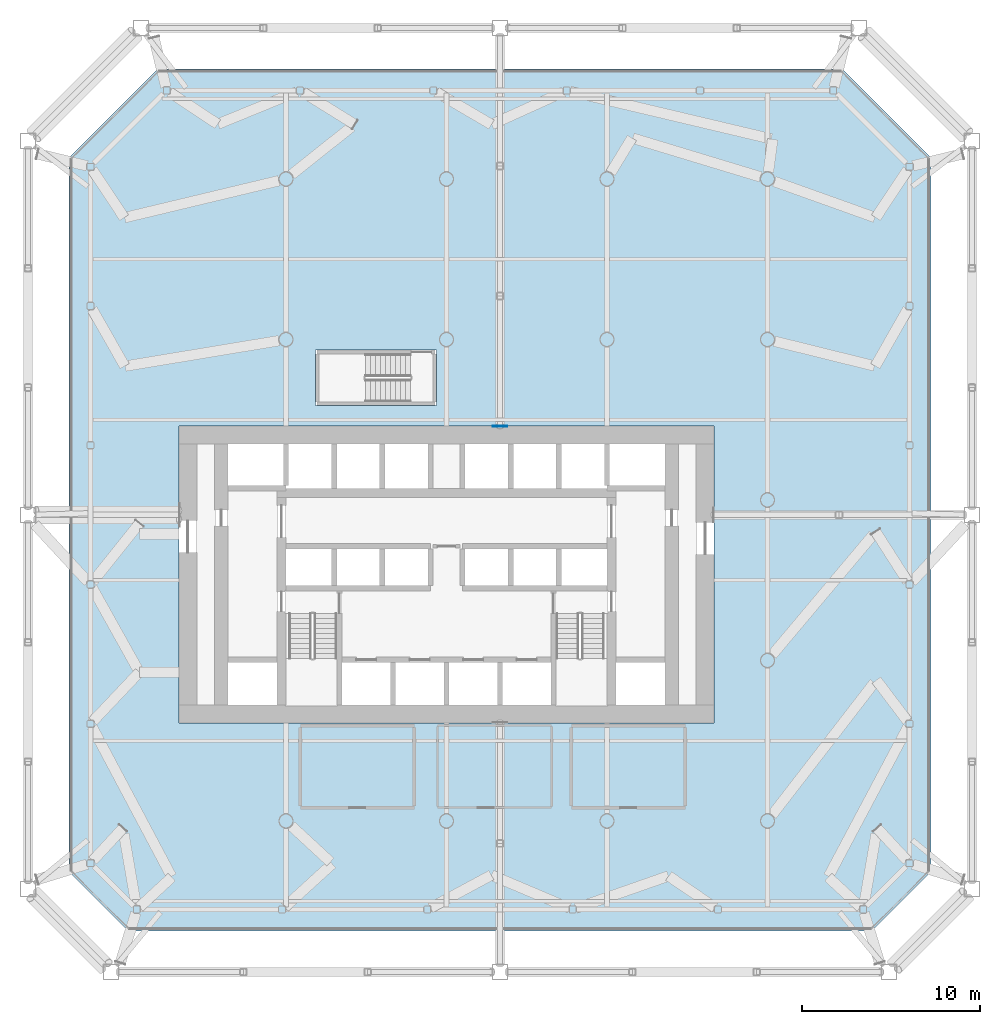
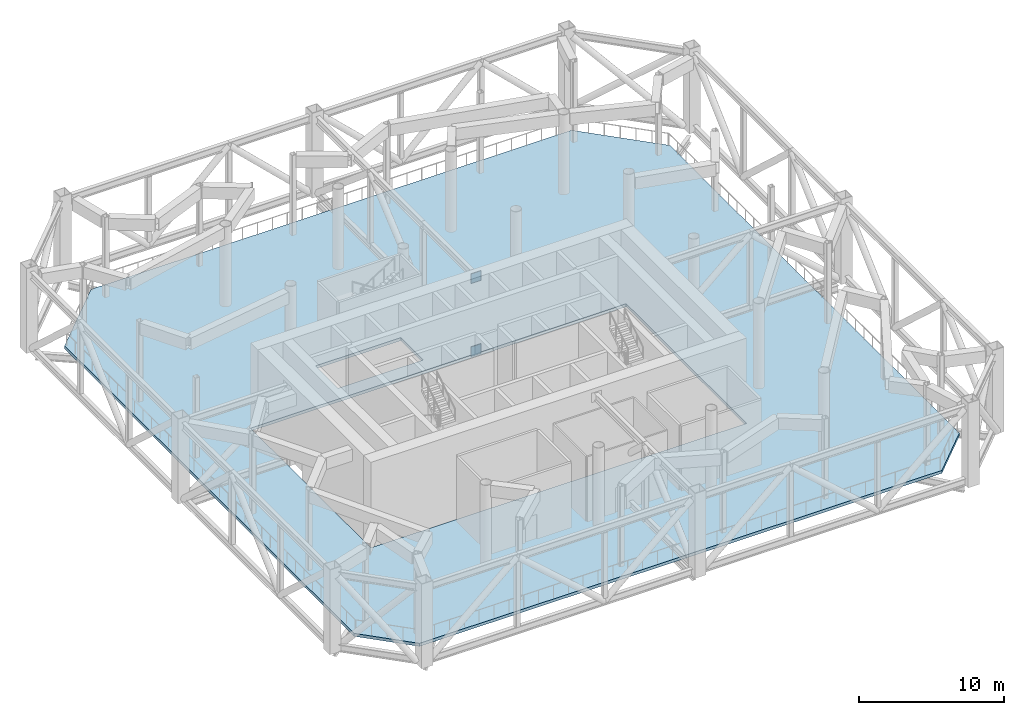
# One storey, part 8 of 20: 2 plates, 1 slab.
"""IFC4 building model written with IfcOpenShell, lengths in metres."""

from ifc_helpers import new_model, si_unit, direction, frame, origin, origin_2d, place, context, subcontext, project, spatial, polyline, rectangle, outline, extrude, material, layer, layer_set, material_profile, profile_set, type_object, element, save


model = new_model("IFC4")

# Units and contexts
model_context = context("Model", 3, precision=1e-05, world=origin(), true_north=direction((0.0, 1.0)))
body_context = subcontext(model_context, "Body", "Model", "MODEL_VIEW")
ifc_project = project(units=[si_unit("LENGTHUNIT", "METRE"), si_unit("AREAUNIT", "SQUARE_METRE"), si_unit("VOLUMEUNIT", "CUBIC_METRE"), si_unit("PLANEANGLEUNIT", "RADIAN"), si_unit("MASSUNIT", "GRAM", prefix="KILO")], contexts=[model_context])

# Site, building, storey
site_placement = place(None, origin())
site = spatial("IfcSite", under=ifc_project, at=site_placement, CompositionType="ELEMENT")
building_placement = place(site_placement, origin())
building = spatial("IfcBuilding", under=site, at=building_placement, Name="Tskaro Facet Tower", CompositionType="ELEMENT")
storey_placement = place(building_placement, frame((0.0, 0.0, 114.300048828125)))
storey = spatial("IfcBuildingStorey", under=building, at=storey_placement, Name="L27", CompositionType="ELEMENT", Elevation=114.300048828125)

# Plates
ifc_material_1 = material(Name="Steel S355J2", Category="steel")
ifc_material_profile = material_profile(ifc_material_1, rectangle(XDim=0.800048828125, YDim=0.800048828125, at=origin_2d()), Name="PL 800x800x30 cast-in plate")
ifc_profile_set = profile_set([ifc_material_profile], Name="Steel S355J2")
plate_type = type_object("IfcPlateType", Name="PL 800x800x30 cast-in plate", PredefinedType="SHEET", material=ifc_profile_set)
for number, where, z_axis, x_axis, name in (
    (1, (3.0, 4.1201171875, 6.469970703125), (0.0, 1.0, 0.0), (-1.0, 0.0, 0.0), "Cast-in plate AP1-09"),
    (2, (3.0, 4.1201171875, 0.31005859375), (0.0, 1.0, 0.0), (-1.0, 0.0, 0.0), "Cast-in plate AP1-10"),
):
    element("IfcPlate", number, at=place(storey_placement, frame(where, z_axis=z_axis, x_axis=x_axis)), inside=storey, type_object=plate_type, Name=name, PredefinedType="SHEET", context=body_context, shape_type="SweptSolid", body=[
        extrude(rectangle(XDim=0.800048828125, YDim=0.800048828125, at=origin_2d()), origin(), (0.0, 0.0, 1.0), 0.02978515625),
    ])

# Slab
ifc_material_2 = material(Name="Concrete C35/45", Category="concrete")
ifc_layer = layer(ifc_material_2, 0.25, Name="Concrete C35/45")
ifc_layer_set = layer_set([ifc_layer], Name="Concrete C35/45")
slab_type = type_object("IfcSlabType", Name="Transition floor slab", PredefinedType="FLOOR", material=ifc_layer_set)
slab_placement = place(storey_placement, frame((0.0, 0.0, -0.25)))
element("IfcSlab", 3, at=slab_placement, inside=storey, type_object=slab_type, Name="Floor slab FS4 L27", PredefinedType="FLOOR", context=body_context, shape_type="SweptSolid", body=[
    extrude(outline(polyline([(-17.861083984375, -24.1650390625), (23.861083984375, -24.1650390625), (27.1650390625, -20.861083984375), (27.1650390625, 19.18701171875), (22.18701171875, 24.1650390625), (-16.18701171875, 24.1650390625), (-21.1650390625, 19.18701171875), (-21.1650390625, -20.861083984375), (-17.861083984375, -24.1650390625)]), holes=[polyline([(-15.0, -12.5), (15.0, -12.5), (15.0, 4.14990234375), (-15.0, 4.14990234375), (-15.0, -12.5)]), polyline([(-7.35009765625, 5.300048828125), (-0.550048828125, 5.300048828125), (-0.550048828125, 8.39990234375), (-7.35009765625, 8.39990234375), (-7.35009765625, 5.300048828125)])]), origin(), (0.0, 0.0, 1.0), 0.25),
])

save(model, "model.ifc")
